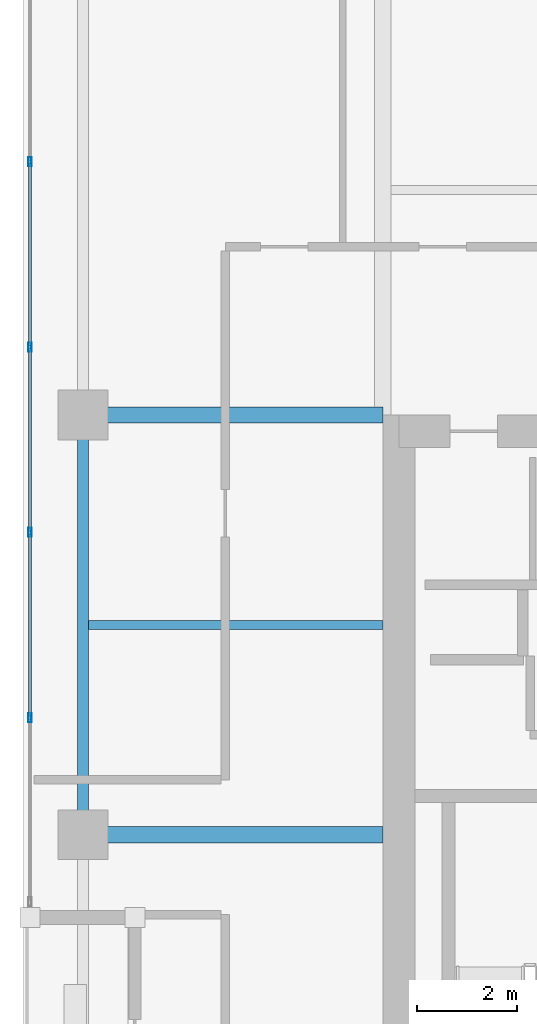
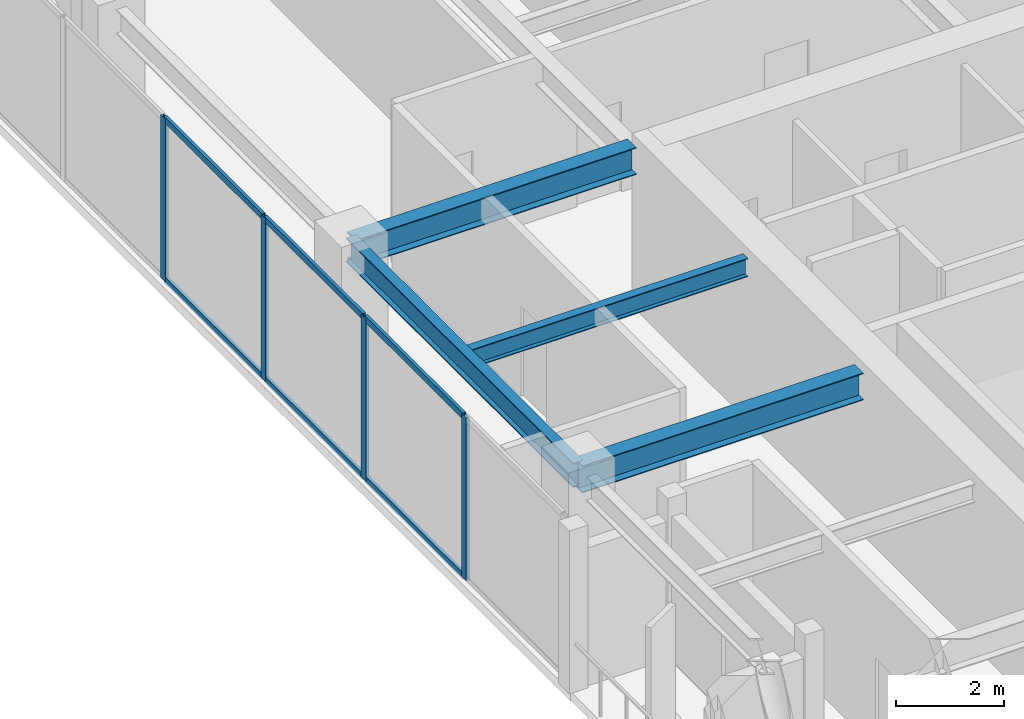
# One storey, part 4 of 22: 10 members, 4 beams, 1 element without a shape of its own.
"""IFC4 building model written with IfcOpenShell, lengths in metres."""

from ifc_helpers import new_model, si_unit, direction, frame, origin, origin_2d, place, context, subcontext, project, spatial, hollow_rectangle, i_section, extrude, material, layer, layer_set, material_profile, profile_set, type_object, element, aggregate, save


model = new_model("IFC4")

# Units and contexts
model_context = context("Model", 3, precision=1e-05, world=origin(), true_north=direction((0.0, 1.0)))
body_context = subcontext(model_context, "Body", "Model", "MODEL_VIEW")
ifc_project = project(units=[si_unit("LENGTHUNIT", "METRE"), si_unit("AREAUNIT", "SQUARE_METRE"), si_unit("VOLUMEUNIT", "CUBIC_METRE"), si_unit("PLANEANGLEUNIT", "RADIAN"), si_unit("MASSUNIT", "GRAM", prefix="KILO")], contexts=[model_context])

# Site, building, storey
site_placement = place(None, origin())
site = spatial("IfcSite", under=ifc_project, at=site_placement, CompositionType="ELEMENT")
building_placement = place(site_placement, origin())
building = spatial("IfcBuilding", under=site, at=building_placement, Name="Kiyonajd Concourse Tower", CompositionType="ELEMENT")
storey_placement = place(building_placement, frame((0.0, 0.0, 243.300048828125)))
storey = spatial("IfcBuildingStorey", under=building, at=storey_placement, Name="L61", CompositionType="ELEMENT", Elevation=243.300048828125)

# Beams
ifc_material_1 = material(Name="Steel ASTM A992 Grade 50", Category="steel")
ifc_material_profile_1 = material_profile(ifc_material_1, i_section(OverallWidth=0.180908203125, OverallDepth=0.4169921875, WebThickness=0.010986328125, FlangeThickness=0.018310546875, at=origin_2d()), Name="W410X85")
ifc_profile_set_1 = profile_set([ifc_material_profile_1], Name="Steel ASTM A992 Grade 50")
beam_type_1 = type_object("IfcBeamType", Name="BM-JST-410", PredefinedType="JOIST", material=ifc_profile_set_1)
beam_1_placement = place(storey_placement, frame((26.507080078125, 40.199951171875, 3.471435546875), z_axis=(1.0, 0.0, 0.0), x_axis=(0.0, 1.0, 0.0)))
element("IfcBeam", 1, at=beam_1_placement, inside=storey, type_object=beam_type_1, Name="L61 West Secondary Floor Joist", PredefinedType="JOIST", context=body_context, shape_type="SweptSolid", body=[
    extrude(i_section(OverallWidth=0.180908203125, OverallDepth=0.4169921875, WebThickness=0.010986328125, FlangeThickness=0.018310546875, at=origin_2d()), origin(), (0.0, 0.0, 1.0), 5.892822265625),
])
ifc_material_profile_2 = material_profile(ifc_material_1, i_section(OverallWidth=0.214111328125, OverallDepth=0.549072265625, WebThickness=0.0146484375, FlangeThickness=0.023681640625, at=origin_2d()), Name="W530X138")
ifc_profile_set_2 = profile_set([ifc_material_profile_2], Name="Steel ASTM A992 Grade 50")
beam_type_2 = type_object("IfcBeamType", Name="BM-SPAN-530A", PredefinedType="SPANDREL", material=ifc_profile_set_2)
beam_2_placement = place(storey_placement, frame((26.39990234375, 44.39990234375, 3.405517578125), z_axis=(0.0, -1.0, 0.0), x_axis=(1.0, 0.0, 0.0)))
element("IfcBeam", 2, at=beam_2_placement, inside=storey, type_object=beam_type_2, Name="L61 Perimeter Bundled Tube Spandrel", PredefinedType="SPANDREL", context=body_context, shape_type="SweptSolid", body=[
    extrude(i_section(OverallWidth=0.214111328125, OverallDepth=0.549072265625, WebThickness=0.0146484375, FlangeThickness=0.023681640625, at=origin_2d()), origin(), (0.0, 0.0, 1.0), 8.39990234375),
])
ifc_material_profile_3 = material_profile(ifc_material_1, i_section(OverallWidth=0.323974609375, OverallDepth=0.611083984375, WebThickness=0.0126953125, FlangeThickness=0.01904296875, at=origin_2d()), Name="W610X155")
ifc_profile_set_3 = profile_set([ifc_material_profile_3], Name="Steel ASTM A992 Grade 50")
beam_type_3 = type_object("IfcBeamType", Name="BM-TWR-610B", PredefinedType="BEAM", material=ifc_profile_set_3)
for number, where, z_axis, x_axis, name in (
    (3, (26.39990234375, 36.0, 3.37451171875), (1.0, 0.0, 0.0), (0.0, 1.0, 0.0), "L61 West Lease Girder"),
    (4, (26.39990234375, 44.39990234375, 3.37451171875), (1.0, 0.0, 0.0), (0.0, 1.0, 0.0), "L61 West Lease Girder"),
):
    element("IfcBeam", number, at=place(storey_placement, frame(where, z_axis=z_axis, x_axis=x_axis)), inside=storey, type_object=beam_type_3, Name=name, PredefinedType="BEAM", context=body_context, shape_type="SweptSolid", body=[
        extrude(i_section(OverallWidth=0.323974609375, OverallDepth=0.611083984375, WebThickness=0.0126953125, FlangeThickness=0.01904296875, at=origin_2d()), origin(), (0.0, 0.0, 1.0), 6.0),
    ])

# Curtain wall, members
ifc_material_2 = material(Name="Thermally Broken Anodised Aluminium", Category="aluminium")
ifc_layer = layer(ifc_material_2, 0.179931640625)
ifc_layer_set = layer_set([ifc_layer], Name="Thermally Broken Anodised Aluminium")
curtain_wall_type = type_object("IfcCurtainWallType", Name="CW-SYS-04", PredefinedType="NOTDEFINED", material=ifc_layer_set)
curtain_wall_placement = place(storey_placement, origin())
curtain_wall = element("IfcCurtainWall", 5, at=curtain_wall_placement, inside=storey, type_object=curtain_wall_type, Name="L61 Unitised Curtain Wall CW4", PredefinedType="NOTDEFINED")
ifc_material_profile_4 = material_profile(ifc_material_2, hollow_rectangle(XDim=0.06494140625, YDim=0.179931640625, WallThickness=0.00390625, at=origin_2d()), Name="MULL-65x180")
ifc_profile_set_4 = profile_set([ifc_material_profile_4], Name="Thermally Broken Anodised Aluminium")
member_type_1 = type_object("IfcMemberType", Name="MB-CW-MULL1", PredefinedType="MULLION", material=ifc_profile_set_4)
member_1_placement = place(storey_placement, frame((25.340087890625, 38.34033203125, 0.0), z_axis=(0.0, 0.0, 1.0), x_axis=(-1.0, 0.0, 0.0)))
member_1 = element("IfcMember", 6, at=member_1_placement, type_object=member_type_1, Name="CW4 mullion 2", PredefinedType="MULLION", context=body_context, shape_type="SweptSolid", body=[
    extrude(hollow_rectangle(XDim=0.06494140625, YDim=0.179931640625, WallThickness=0.00390625, at=origin_2d()), origin(), (0.0, 0.0, 1.0), 3.679931640625),
])
member_2_placement = place(storey_placement, frame((25.340087890625, 42.050537109375, 0.0), z_axis=(0.0, 0.0, 1.0), x_axis=(-1.0, 0.0, 0.0)))
member_2 = element("IfcMember", 7, at=member_2_placement, type_object=member_type_1, Name="CW4 mullion 3", PredefinedType="MULLION", context=body_context, shape_type="SweptSolid", body=[
    extrude(hollow_rectangle(XDim=0.06494140625, YDim=0.179931640625, WallThickness=0.00390625, at=origin_2d()), origin(), (0.0, 0.0, 1.0), 3.679931640625),
])
member_3_placement = place(storey_placement, frame((25.340087890625, 45.7607421875, 0.0), z_axis=(0.0, 0.0, 1.0), x_axis=(-1.0, 0.0, 0.0)))
member_3 = element("IfcMember", 8, at=member_3_placement, type_object=member_type_1, Name="CW4 mullion 4", PredefinedType="MULLION", context=body_context, shape_type="SweptSolid", body=[
    extrude(hollow_rectangle(XDim=0.06494140625, YDim=0.179931640625, WallThickness=0.00390625, at=origin_2d()), origin(), (0.0, 0.0, 1.0), 3.679931640625),
])
member_4_placement = place(storey_placement, frame((25.340087890625, 49.470947265625, 0.0), z_axis=(0.0, 0.0, 1.0), x_axis=(-1.0, 0.0, 0.0)))
member_4 = element("IfcMember", 9, at=member_4_placement, type_object=member_type_1, Name="CW4 mullion 5", PredefinedType="MULLION", context=body_context, shape_type="SweptSolid", body=[
    extrude(hollow_rectangle(XDim=0.06494140625, YDim=0.179931640625, WallThickness=0.00390625, at=origin_2d()), origin(), (0.0, 0.0, 1.0), 3.679931640625),
])
ifc_material_profile_5 = material_profile(ifc_material_2, hollow_rectangle(XDim=0.06494140625, YDim=0.139892578125, WallThickness=0.00390625, at=origin_2d()), Name="TRAN-65x140")
ifc_profile_set_5 = profile_set([ifc_material_profile_5], Name="Thermally Broken Anodised Aluminium")
member_type_2 = type_object("IfcMemberType", Name="MB-CW-TRAN1", PredefinedType="USERDEFINED", material=ifc_profile_set_5)
member_5_placement = place(storey_placement, frame((25.340087890625, 38.372802734375, 0.032470703125), z_axis=(0.0, 1.0, 0.0), x_axis=(-1.0, 0.0, 0.0)))
member_5 = element("IfcMember", 10, at=member_5_placement, type_object=member_type_2, Name="CW4 transom 2.1", ObjectType="TRANSOM", PredefinedType="USERDEFINED", context=body_context, shape_type="SweptSolid", body=[
    extrude(hollow_rectangle(XDim=0.06494140625, YDim=0.139892578125, WallThickness=0.00390625, at=origin_2d()), origin(), (0.0, 0.0, 1.0), 3.645263671875),
])
member_6_placement = place(storey_placement, frame((25.340087890625, 38.372802734375, 3.6474609375), z_axis=(0.0, 1.0, 0.0), x_axis=(-1.0, 0.0, 0.0)))
member_6 = element("IfcMember", 11, at=member_6_placement, type_object=member_type_2, Name="CW4 transom 2.2", ObjectType="TRANSOM", PredefinedType="USERDEFINED", context=body_context, shape_type="SweptSolid", body=[
    extrude(hollow_rectangle(XDim=0.06494140625, YDim=0.139892578125, WallThickness=0.00390625, at=origin_2d()), origin(), (0.0, 0.0, 1.0), 3.645263671875),
])
member_7_placement = place(storey_placement, frame((25.340087890625, 42.0830078125, 0.032470703125), z_axis=(0.0, 1.0, 0.0), x_axis=(-1.0, 0.0, 0.0)))
member_7 = element("IfcMember", 12, at=member_7_placement, type_object=member_type_2, Name="CW4 transom 3.1", ObjectType="TRANSOM", PredefinedType="USERDEFINED", context=body_context, shape_type="SweptSolid", body=[
    extrude(hollow_rectangle(XDim=0.06494140625, YDim=0.139892578125, WallThickness=0.00390625, at=origin_2d()), origin(), (0.0, 0.0, 1.0), 3.645263671875),
])
member_8_placement = place(storey_placement, frame((25.340087890625, 42.0830078125, 3.6474609375), z_axis=(0.0, 1.0, 0.0), x_axis=(-1.0, 0.0, 0.0)))
member_8 = element("IfcMember", 13, at=member_8_placement, type_object=member_type_2, Name="CW4 transom 3.2", ObjectType="TRANSOM", PredefinedType="USERDEFINED", context=body_context, shape_type="SweptSolid", body=[
    extrude(hollow_rectangle(XDim=0.06494140625, YDim=0.139892578125, WallThickness=0.00390625, at=origin_2d()), origin(), (0.0, 0.0, 1.0), 3.645263671875),
])
member_9_placement = place(storey_placement, frame((25.340087890625, 45.793212890625, 0.032470703125), z_axis=(0.0, 1.0, 0.0), x_axis=(-1.0, 0.0, 0.0)))
member_9 = element("IfcMember", 14, at=member_9_placement, type_object=member_type_2, Name="CW4 transom 4.1", ObjectType="TRANSOM", PredefinedType="USERDEFINED", context=body_context, shape_type="SweptSolid", body=[
    extrude(hollow_rectangle(XDim=0.06494140625, YDim=0.139892578125, WallThickness=0.00390625, at=origin_2d()), origin(), (0.0, 0.0, 1.0), 3.645263671875),
])
member_10_placement = place(storey_placement, frame((25.340087890625, 45.793212890625, 3.6474609375), z_axis=(0.0, 1.0, 0.0), x_axis=(-1.0, 0.0, 0.0)))
member_10 = element("IfcMember", 15, at=member_10_placement, type_object=member_type_2, Name="CW4 transom 4.2", ObjectType="TRANSOM", PredefinedType="USERDEFINED", context=body_context, shape_type="SweptSolid", body=[
    extrude(hollow_rectangle(XDim=0.06494140625, YDim=0.139892578125, WallThickness=0.00390625, at=origin_2d()), origin(), (0.0, 0.0, 1.0), 3.645263671875),
])
aggregate(curtain_wall, [member_1, member_2, member_3, member_4, member_5, member_6, member_7, member_8, member_9, member_10])

save(model, "model.ifc")
